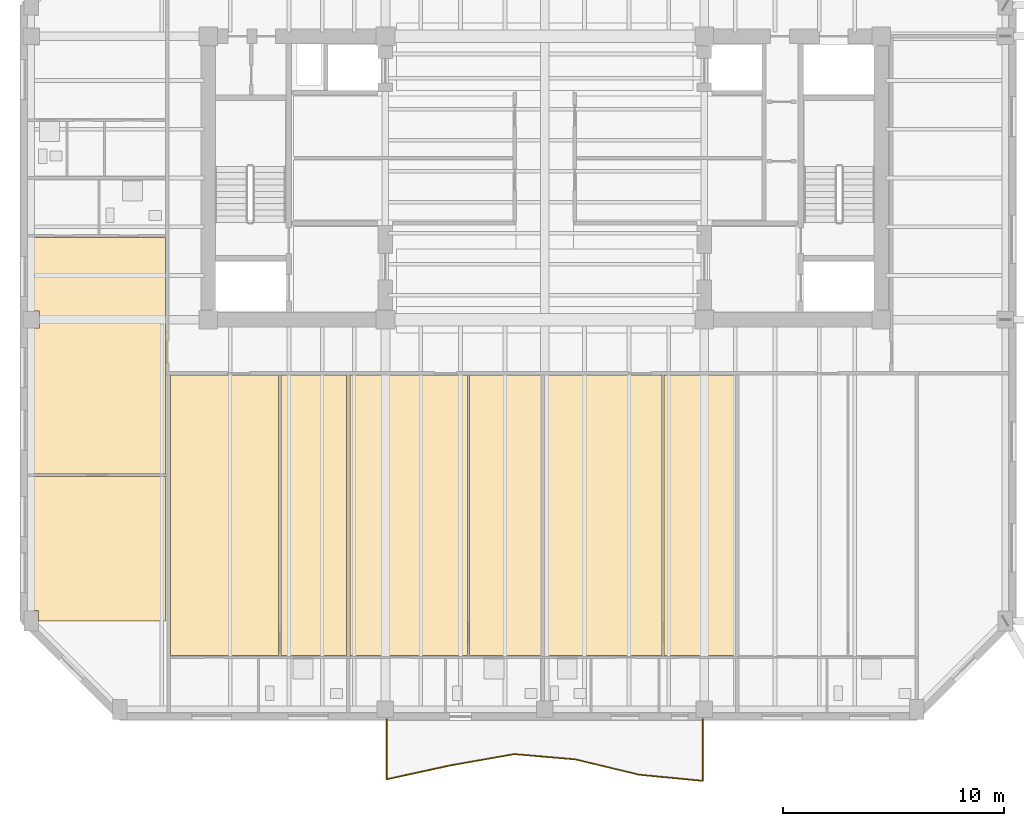
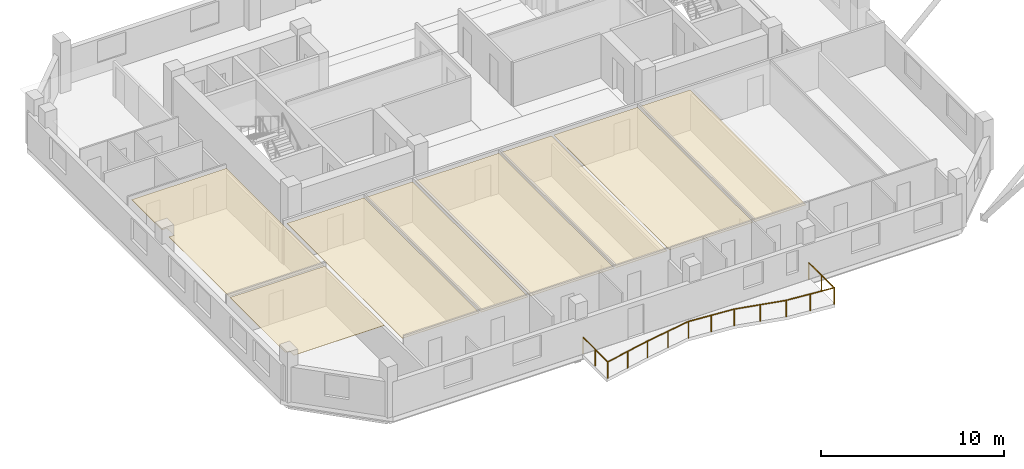
# One storey, part 8 of 12: 8 coverings, 1 railing.
"""IFC4 building model written with IfcOpenShell, lengths in metres."""

from ifc_helpers import new_model, si_unit, direction, frame, origin, origin_2d, place, context, subcontext, project, spatial, polyline, circle, outline, extrude, material, layer, layer_set, type_object, element, save


model = new_model("IFC4")

# Units and contexts
model_context = context("Model", 3, precision=1e-05, world=origin(), true_north=direction((0.0, 1.0)))
body_context = subcontext(model_context, "Body", "Model", "MODEL_VIEW")
ifc_project = project(units=[si_unit("LENGTHUNIT", "METRE"), si_unit("AREAUNIT", "SQUARE_METRE"), si_unit("VOLUMEUNIT", "CUBIC_METRE"), si_unit("PLANEANGLEUNIT", "RADIAN"), si_unit("MASSUNIT", "GRAM", prefix="KILO")], contexts=[model_context])

# Site, building, storey
site_placement = place(None, origin())
site = spatial("IfcSite", under=ifc_project, at=site_placement, CompositionType="ELEMENT")
building_placement = place(site_placement, origin())
building = spatial("IfcBuilding", under=site, at=building_placement, Name="Kranthara Brick Stack", CompositionType="ELEMENT")
storey_placement = place(building_placement, frame((0.0, 0.0, 224.5)))
storey = spatial("IfcBuildingStorey", under=building, at=storey_placement, Name="L58", CompositionType="ELEMENT", Elevation=224.5)

# Coverings
ifc_material_1 = material(Name="Perforated mineral-fibre acoustic ceiling tile", Category="other")
ifc_layer = layer(ifc_material_1, 0.02490234375)
ifc_layer_set = layer_set([ifc_layer], Name="Perforated mineral-fibre acoustic ceiling tile")
covering_type = type_object("IfcCoveringType", Name="COV-CEIL-ACOUSTIC", PredefinedType="CEILING", material=ifc_layer_set)
covering_1_placement = place(storey_placement, frame((0.0, 0.0, 2.679931640625)))
element("IfcCovering", 1, at=covering_1_placement, inside=storey, type_object=covering_type, Name="L58 Unit L58A Studio Apartment Living Acoustic Ceiling", PredefinedType="CEILING", context=body_context, shape_type="SweptSolid", body=[
    extrude(outline(polyline([(15.97705078125, 5.6298828125), (15.97705078125, 18.300048828125), (11.10009765625, 18.300048828125), (11.10009765625, 5.6298828125), (15.97705078125, 5.6298828125)])), origin(), (0.0, 0.0, 1.0), 0.025146484375),
])
covering_2_placement = place(storey_placement, frame((0.0, 0.0, 2.679931640625)))
element("IfcCovering", 2, at=covering_2_placement, inside=storey, type_object=covering_type, Name="L58 Unit L58A Private Study Room Acoustic Ceiling", PredefinedType="CEILING", context=body_context, shape_type="SweptSolid", body=[
    extrude(outline(polyline([(19.047119140625, 5.6298828125), (19.047119140625, 18.300048828125), (16.076904296875, 18.300048828125), (16.076904296875, 5.6298828125), (19.047119140625, 5.6298828125)])), origin(), (0.0, 0.0, 1.0), 0.025146484375),
])
covering_3_placement = place(storey_placement, frame((0.0, 0.0, 2.679931640625)))
element("IfcCovering", 3, at=covering_3_placement, inside=storey, type_object=covering_type, Name="L58 Unit L58B Studio Apartment Living Acoustic Ceiling", PredefinedType="CEILING", context=body_context, shape_type="SweptSolid", body=[
    extrude(outline(polyline([(24.5029296875, 5.6298828125), (24.5029296875, 18.300048828125), (19.20703125, 18.300048828125), (19.20703125, 5.6298828125), (24.5029296875, 5.6298828125)])), origin(), (0.0, 0.0, 1.0), 0.025146484375),
])
covering_4_placement = place(storey_placement, frame((0.0, 0.0, 2.679931640625)))
element("IfcCovering", 4, at=covering_4_placement, inside=storey, type_object=covering_type, Name="L58 Unit L58B Private Study Room Acoustic Ceiling", PredefinedType="CEILING", context=body_context, shape_type="SweptSolid", body=[
    extrude(outline(polyline([(27.830078125, 5.6298828125), (27.830078125, 18.300048828125), (24.60302734375, 18.300048828125), (24.60302734375, 5.6298828125), (27.830078125, 5.6298828125)])), origin(), (0.0, 0.0, 1.0), 0.025146484375),
])
covering_5_placement = place(storey_placement, frame((0.0, 0.0, 2.679931640625)))
element("IfcCovering", 5, at=covering_5_placement, inside=storey, type_object=covering_type, Name="L58 Unit L58C 1-Bed Apartment Living Dining Acoustic Ceiling", PredefinedType="CEILING", context=body_context, shape_type="SweptSolid", body=[
    extrude(outline(polyline([(33.285888671875, 5.6298828125), (33.285888671875, 18.300048828125), (27.989990234375, 18.300048828125), (27.989990234375, 5.6298828125), (33.285888671875, 5.6298828125)])), origin(), (0.0, 0.0, 1.0), 0.025146484375),
])
covering_6_placement = place(storey_placement, frame((0.0, 0.0, 2.679931640625)))
element("IfcCovering", 6, at=covering_6_placement, inside=storey, type_object=covering_type, Name="L58 Unit L58C Private Study Room Acoustic Ceiling", PredefinedType="CEILING", context=body_context, shape_type="SweptSolid", body=[
    extrude(outline(polyline([(36.613037109375, 5.6298828125), (36.613037109375, 18.300048828125), (33.385986328125, 18.300048828125), (33.385986328125, 5.6298828125), (36.613037109375, 5.6298828125)])), origin(), (0.0, 0.0, 1.0), 0.025146484375),
])
covering_7_placement = place(storey_placement, frame((0.0, 0.0, 2.679931640625)))
element("IfcCovering", 7, at=covering_7_placement, inside=storey, type_object=covering_type, Name="L58 Unit L58E Private Study Room Acoustic Ceiling", PredefinedType="CEILING", context=body_context, shape_type="SweptSolid", body=[
    extrude(outline(polyline([(4.8701171875, 13.72802734375), (10.860107421875, 13.72802734375), (10.860107421875, 7.199951171875), (5.135009765625, 7.199951171875), (5.135009765625, 7.659912109375), (4.8701171875, 7.659912109375), (4.8701171875, 13.72802734375)])), origin(), (0.0, 0.0, 1.0), 0.025146484375),
])
covering_8_placement = place(storey_placement, frame((0.0, 0.0, 2.679931640625)))
element("IfcCovering", 8, at=covering_8_placement, inside=storey, type_object=covering_type, Name="L58 Unit L58E Studio Apartment Living Acoustic Ceiling", PredefinedType="CEILING", context=body_context, shape_type="SweptSolid", body=[
    extrude(outline(polyline([(4.8701171875, 24.510009765625), (10.860107421875, 24.510009765625), (10.860107421875, 13.827880859375), (4.8701171875, 13.827880859375), (4.8701171875, 20.4150390625), (5.18505859375, 20.4150390625), (5.18505859375, 21.18505859375), (4.8701171875, 21.18505859375), (4.8701171875, 24.510009765625)])), origin(), (0.0, 0.0, 1.0), 0.025146484375),
])

# Railing
ifc_material_2 = material(Name="Bronze anodised aluminium and laminated glass balustrade", Category="aluminium")
railing_type = type_object("IfcRailingType", Name="RL-BALC-1120", PredefinedType="BALUSTRADE", material=ifc_material_2)
railing_placement = place(storey_placement, frame((35.139892578125, 2.760009765625, 0.0)))
element("IfcRailing", 9, at=railing_placement, inside=storey, type_object=railing_type, Name="L58 South Rippling Balcony Balustrade", PredefinedType="BALUSTRADE", context=body_context, shape_type="SweptSolid", body=[
    extrude(circle(Radius=0.02392578125, at=origin_2d()), frame((0.0, 0.0, 1.09619140625), z_axis=(0.000262582048, -0.999999965525, 0.0), x_axis=(0.999999965525, 0.000262582048, 0.0)), (0.0, 0.0, 1.0), 2.789306640625),
    extrude(circle(Radius=0.02392578125, at=origin_2d()), frame((0.000732421875, -2.789306640625, 1.09619140625), z_axis=(-0.995418147335, 0.095617529541, 0.0), x_axis=(-0.095617529541, -0.995418147335, 0.0)), (0.0, 0.0, 1.0), 2.892822265625),
    extrude(circle(Radius=0.02392578125, at=origin_2d()), frame((-2.87890625, -2.5126953125, 1.09619140625), z_axis=(-0.972162501707, 0.234307640242, 0.0), x_axis=(-0.234307640242, -0.972162501707, 0.0)), (0.0, 0.0, 1.0), 2.96337890625),
    extrude(circle(Radius=0.02392578125, at=origin_2d()), frame((-5.759765625, -1.818359375, 1.09619140625), z_axis=(-0.99638468649, 0.084956203589, 0.0), x_axis=(-0.084956203589, -0.99638468649, 0.0)), (0.0, 0.0, 1.0), 2.770263671875),
    extrude(circle(Radius=0.02392578125, at=origin_2d()), frame((-8.52001953125, -1.5830078125, 1.09619140625), z_axis=(-0.984838137703, -0.173475769276, 0.0), x_axis=(0.173475769276, -0.984838137703, 0.0)), (0.0, 0.0, 1.0), 2.924560546875),
    extrude(circle(Radius=0.02392578125, at=origin_2d()), frame((-11.400146484375, -2.09033203125, 1.09619140625), z_axis=(-0.977069356089, -0.212921284498, 0.0), x_axis=(0.212921284498, -0.977069356089, 0.0)), (0.0, 0.0, 1.0), 2.947998046875),
    extrude(circle(Radius=0.02392578125, at=origin_2d()), frame((-14.280517578125, -2.718017578125, 1.09619140625), z_axis=(0.000269469136, 0.999999963693, 0.0), x_axis=(-0.999999963693, 0.000269469136, 0.0)), (0.0, 0.0, 1.0), 2.718017578125),
    extrude(circle(Radius=0.02099609375, at=origin_2d()), origin(), (0.0, 0.0, 1.0), 1.072021484375),
    extrude(circle(Radius=0.02099609375, at=origin_2d()), frame((0.00048828125, -1.39453125, 0.0)), (0.0, 0.0, 1.0), 1.072021484375),
    extrude(circle(Radius=0.02099609375, at=origin_2d()), frame((0.000732421875, -2.789306640625, 0.0)), (0.0, 0.0, 1.0), 1.072021484375),
    extrude(circle(Radius=0.02099609375, at=origin_2d()), frame((-1.43896484375, -2.65087890625, 0.0)), (0.0, 0.0, 1.0), 1.072021484375),
    extrude(circle(Radius=0.02099609375, at=origin_2d()), frame((-2.87890625, -2.5126953125, 0.0)), (0.0, 0.0, 1.0), 1.072021484375),
    extrude(circle(Radius=0.02099609375, at=origin_2d()), frame((-4.3193359375, -2.16552734375, 0.0)), (0.0, 0.0, 1.0), 1.072021484375),
    extrude(circle(Radius=0.02099609375, at=origin_2d()), frame((-5.759765625, -1.818359375, 0.0)), (0.0, 0.0, 1.0), 1.072021484375),
    extrude(circle(Radius=0.02099609375, at=origin_2d()), frame((-7.139892578125, -1.70068359375, 0.0)), (0.0, 0.0, 1.0), 1.072021484375),
    extrude(circle(Radius=0.02099609375, at=origin_2d()), frame((-8.52001953125, -1.5830078125, 0.0)), (0.0, 0.0, 1.0), 1.072021484375),
    extrude(circle(Radius=0.02099609375, at=origin_2d()), frame((-9.9599609375, -1.836669921875, 0.0)), (0.0, 0.0, 1.0), 1.072021484375),
    extrude(circle(Radius=0.02099609375, at=origin_2d()), frame((-11.400146484375, -2.09033203125, 0.0)), (0.0, 0.0, 1.0), 1.072021484375),
    extrude(circle(Radius=0.02099609375, at=origin_2d()), frame((-12.84033203125, -2.404296875, 0.0)), (0.0, 0.0, 1.0), 1.072021484375),
    extrude(circle(Radius=0.02099609375, at=origin_2d()), frame((-14.280517578125, -2.718017578125, 0.0)), (0.0, 0.0, 1.0), 1.072021484375),
    extrude(circle(Radius=0.02099609375, at=origin_2d()), frame((-14.2802734375, -1.35888671875, 0.0)), (0.0, 0.0, 1.0), 1.072021484375),
    extrude(circle(Radius=0.02099609375, at=origin_2d()), frame((-14.27978515625, 0.0, 0.0)), (0.0, 0.0, 1.0), 1.072021484375),
])

save(model, "model.ifc")
